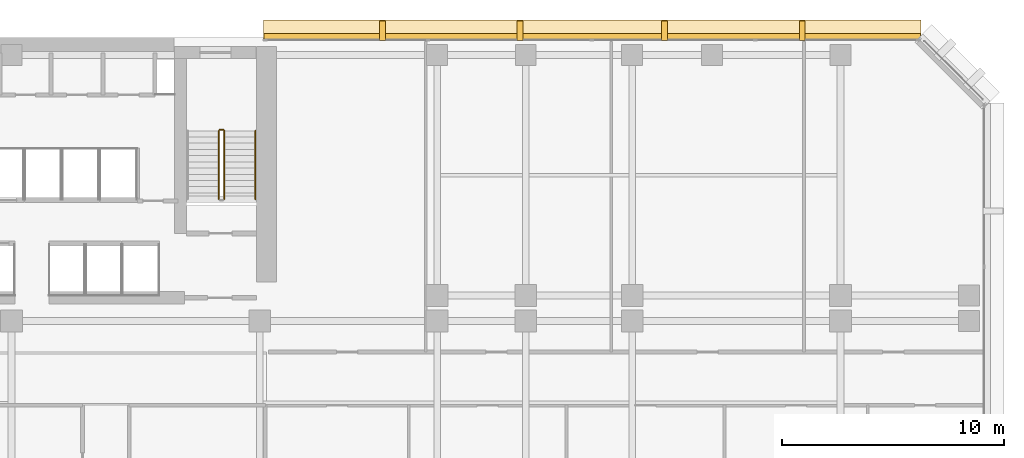
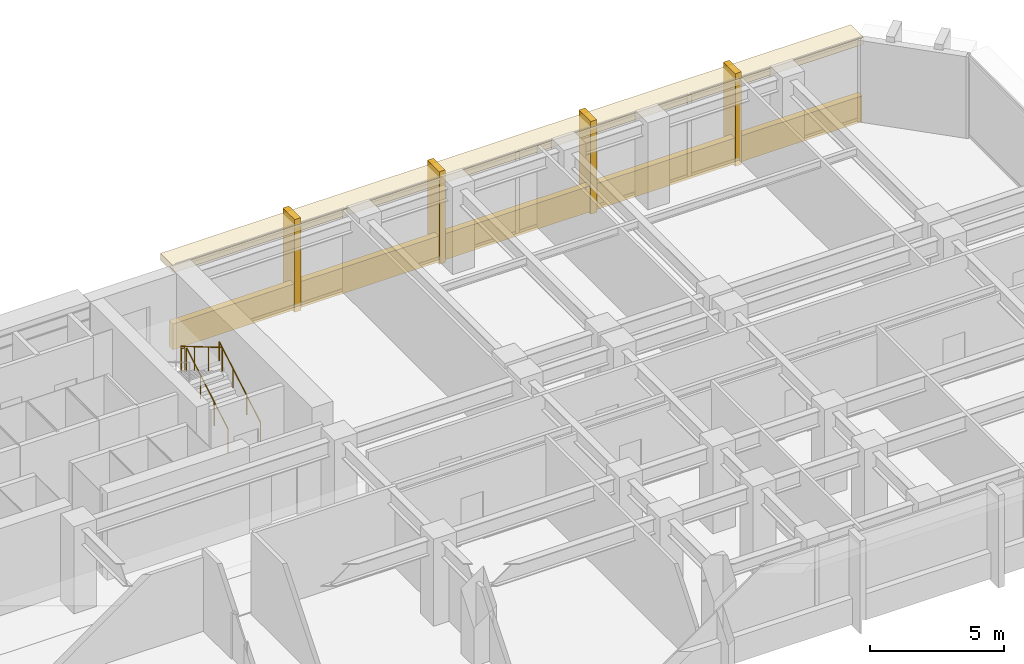
# One storey, part 12 of 13: 6 coverings, 4 railings.
"""IFC4 building model written with IfcOpenShell, lengths in metres."""

import ifcopenshell
import ifcopenshell.guid

model = None  # the IFC model being written
_history = None  # IfcOwnerHistory: only IFC2X3 demands one
_inside = {}  # id of a spatial element -> (the spatial element, [elements in it])
_under = {}  # id of a project, library or spatial element -> (it, [spatial elements below it])
_declared = {}  # id of a project -> (the project, [libraries it declares])
_typed = {}  # id of a type object -> (the type object, [elements of that type])
_made_of = {}  # id of a material, layer set ... -> (it, [elements and type objects made of it])


def new_model(schema):
    """Start an empty IFC model of exactly this schema.

    Asked for "IFC4X3", IfcOpenShell would pick the latest addendum, in which some entities
    have other attributes; the version numbers below select the first issue.
    IFC2X3 requires an IfcOwnerHistory on every rooted entity: one is made here for all.
    """
    global model, _history
    if schema == "IFC4X3":
        model = ifcopenshell.file(schema_version=(4, 3, 0, 0))
    else:
        model = ifcopenshell.file(schema=schema)
    _inside.clear()
    _under.clear()
    _declared.clear()
    _typed.clear()
    _made_of.clear()
    _history = None
    if model.schema == "IFC2X3":
        org = make("IfcOrganization", Name="unknown")
        user = make(
            "IfcPersonAndOrganization",
            ThePerson=make("IfcPerson", FamilyName="unknown"),
            TheOrganization=org,
        )
        app = make(
            "IfcApplication",
            ApplicationDeveloper=org,
            Version="unknown",
            ApplicationFullName="unknown",
            ApplicationIdentifier="unknown",
        )
        _history = make(
            "IfcOwnerHistory",
            OwningUser=user,
            OwningApplication=app,
            ChangeAction="ADDED",
            CreationDate=0,
        )
    return model


def make(cls, **values):
    """One entity of the class cls with the attributes given. An attribute that is None is left unset."""
    return model.create_entity(
        cls, **{name: value for name, value in values.items() if value is not None}
    )


def rooted(cls, **values):
    """An entity with a GlobalId (a new one), such as an element, a storey or a relation."""
    return make(cls, GlobalId=ifcopenshell.guid.new(), OwnerHistory=_history, **values)


def si_unit(unit_type, name, prefix=None):
    """IfcSIUnit, for example si_unit("LENGTHUNIT", "METRE", prefix="MILLI")."""
    return make("IfcSIUnit", UnitType=unit_type, Prefix=prefix, Name=name)


def assignment(units):
    """IfcUnitAssignment: the units of a project."""
    return None if units is None else make("IfcUnitAssignment", Units=units)


def point(xyz):
    """IfcCartesianPoint."""
    return None if xyz is None else make("IfcCartesianPoint", Coordinates=xyz)


def direction(xyz):
    """IfcDirection."""
    return None if xyz is None else make("IfcDirection", DirectionRatios=xyz)


def frame(location, z_axis=None, x_axis=None):
    """IfcAxis2Placement3D, a coordinate frame: its origin and axes. An axis left out is left unset."""
    return make(
        "IfcAxis2Placement3D",
        Location=point(location),
        Axis=direction(z_axis),
        RefDirection=direction(x_axis),
    )


def frame_2d(location, x_axis=None):
    """IfcAxis2Placement2D, a coordinate frame in the plane: its origin and x axis."""
    return make(
        "IfcAxis2Placement2D", Location=point(location), RefDirection=direction(x_axis)
    )


def origin():
    """The frame at (0, 0, 0) with its axes left unset."""
    return frame((0.0, 0.0, 0.0))


def origin_2d():
    """The frame at (0, 0) in the plane with its x axis left unset."""
    return frame_2d((0.0, 0.0))


def place(relative_to, where):
    """IfcLocalPlacement: puts the frame where relative to a parent placement (None: the world)."""
    return make(
        "IfcLocalPlacement", PlacementRelTo=relative_to, RelativePlacement=where
    )


def context(
    kind, dimensions, precision=None, world=None, true_north=None, identifier=None
):
    """IfcGeometricRepresentationContext, for example the 3D "Model" context."""
    return make(
        "IfcGeometricRepresentationContext",
        ContextIdentifier=identifier,
        ContextType=kind,
        CoordinateSpaceDimension=dimensions,
        Precision=precision,
        WorldCoordinateSystem=world,
        TrueNorth=true_north,
    )


def subcontext(parent, identifier, kind, view, scale=None):
    """IfcGeometricRepresentationSubContext, for example "Body" below "Model"."""
    return make(
        "IfcGeometricRepresentationSubContext",
        ContextIdentifier=identifier,
        ContextType=kind,
        ParentContext=parent,
        TargetScale=scale,
        TargetView=view,
    )


def project(units=None, contexts=None):
    """IfcProject with its units and contexts."""
    return rooted(
        "IfcProject",
        Name="project",
        RepresentationContexts=contexts,
        UnitsInContext=assignment(units),
    )


def spatial(cls, under=None, at=None, **own):
    """A site, building, storey or space (cls), placed at a placement, below another one or the project."""
    s = rooted(cls, ObjectPlacement=at, **own)
    if under is not None:
        _under.setdefault(under.id(), (under, []))[1].append(s)
    return s


def profile(cls, at=None, kind="AREA", **sizes):
    """A parametric profile (cls). Its sizes go by their IFC names, for example OverallWidth=200.0."""
    return make(cls, ProfileType=kind, Position=at, **sizes)


def rectangle(**sizes):
    """IfcRectangleProfileDef."""
    return profile("IfcRectangleProfileDef", **sizes)


def circle(**sizes):
    """IfcCircleProfileDef."""
    return profile("IfcCircleProfileDef", **sizes)


def extrude(swept, where, along, depth):
    """IfcExtrudedAreaSolid: the profile swept, set in the frame where, extruded along a direction by depth."""
    return make(
        "IfcExtrudedAreaSolid",
        SweptArea=swept,
        Position=where,
        ExtrudedDirection=direction(along),
        Depth=depth,
    )


def shape(context_of_items, identifier, shape_type, items):
    """IfcShapeRepresentation: the items that make up one representation, for example the "Body"."""
    return make(
        "IfcShapeRepresentation",
        ContextOfItems=context_of_items,
        RepresentationIdentifier=identifier,
        RepresentationType=shape_type,
        Items=items,
    )


def material(Name=None, Category=None):
    """IfcMaterial."""
    return make("IfcMaterial", Name=Name, Category=Category)


def layer(
    of_material, thickness, ventilated=None, Name=None, Category=None, Priority=None
):
    """IfcMaterialLayer: one layer of a wall or slab, of a material (None: an air gap)."""
    return make(
        "IfcMaterialLayer",
        Material=of_material,
        LayerThickness=thickness,
        IsVentilated=ventilated,
        Name=Name,
        Category=Category,
        Priority=Priority,
    )


def layer_set(layers, Name=None):
    """IfcMaterialLayerSet."""
    return make("IfcMaterialLayerSet", MaterialLayers=layers, LayerSetName=Name)


def made_of(thing, what):
    """Note that an element or type object is made of a material, layer set ...; save() writes the relation."""
    if what is not None:
        _made_of.setdefault(what.id(), (what, []))[1].append(thing)
    return thing


def type_object(cls, material=None, **own):
    """A type object (cls), such as IfcWallType, which elements share."""
    return made_of(rooted(cls, **own), material)


def element(
    cls,
    number,
    at=None,
    inside=None,
    cuts=None,
    type_object=None,
    material=None,
    context=None,
    identifier="Body",
    shape_type=None,
    held_by="IfcProductDefinitionShape",
    body=None,
    shapes=None,
    **own,
):
    """One element of the class cls, such as IfcWall. Its Tag is "e" and its number.

    at: its placement. inside: the storey or other place that contains it. cuts: it is an
    opening in that element (IfcRelVoidsElement). A single representation is given by context,
    identifier, shape_type and body (its items); several are given by shapes. held_by: the class
    of the entity that holds the representations. save() writes the other relations.
    """
    e = rooted(cls, Tag="e%d" % number, ObjectPlacement=at, **own)
    if body is not None:
        shapes = [shape(context, identifier, shape_type, body)]
    if shapes is not None:
        e.Representation = make(held_by, Representations=shapes)
    if inside is not None:
        _inside.setdefault(inside.id(), (inside, []))[1].append(e)
    if cuts is not None:
        rooted(
            "IfcRelVoidsElement", RelatingBuildingElement=cuts, RelatedOpeningElement=e
        )
    if type_object is not None:
        _typed.setdefault(type_object.id(), (type_object, []))[1].append(e)
    return made_of(e, material)


def aggregate(whole, parts):
    """IfcRelAggregates: a whole, such as a stair, and the parts it consists of."""
    return rooted("IfcRelAggregates", RelatingObject=whole, RelatedObjects=parts)


def save(model, path):
    """Write the relations noted so far, then the file.

    IfcRelAggregates (storeys below a building ...), IfcRelContainedInSpatialStructure (elements
    in a storey), IfcRelDefinesByType, IfcRelAssociatesMaterial and IfcRelDeclares: one each for
    every whole, place, type object, material and project.
    """
    for whole, parts in _under.values():
        aggregate(whole, parts)
    for where, things in _inside.values():
        rooted(
            "IfcRelContainedInSpatialStructure",
            RelatedElements=things,
            RelatingStructure=where,
        )
    for kind, things in _typed.values():
        rooted("IfcRelDefinesByType", RelatedObjects=things, RelatingType=kind)
    for what, things in _made_of.values():
        rooted("IfcRelAssociatesMaterial", RelatedObjects=things, RelatingMaterial=what)
    for by, libraries in _declared.values():
        rooted("IfcRelDeclares", RelatingContext=by, RelatedDefinitions=libraries)
    model.write(path)


model = new_model("IFC4")

# Units and contexts
model_context = context("Model", 3, precision=1e-05, world=origin(), true_north=direction((0.0, 1.0)))
body_context = subcontext(model_context, "Body", "Model", "MODEL_VIEW")
ifc_project = project(units=[si_unit("LENGTHUNIT", "METRE"), si_unit("AREAUNIT", "SQUARE_METRE"), si_unit("VOLUMEUNIT", "CUBIC_METRE"), si_unit("PLANEANGLEUNIT", "RADIAN"), si_unit("MASSUNIT", "GRAM", prefix="KILO")], contexts=[model_context])

# Site, building, storey
site_placement = place(None, origin())
site = spatial("IfcSite", under=ifc_project, at=site_placement, CompositionType="ELEMENT")
building_placement = place(site_placement, origin())
building = spatial("IfcBuilding", under=site, at=building_placement, Name="Kefirva Bronze Tower", CompositionType="ELEMENT")
storey_placement = place(building_placement, frame((0.0, 0.0, 58.080078125)))
storey = spatial("IfcBuildingStorey", under=building, at=storey_placement, Name="L13", CompositionType="ELEMENT", Elevation=58.080078125)

# Covering
ifc_material_1 = material(Name="Bronze anodised aluminium", Category="aluminium")
ifc_layer_1 = layer(ifc_material_1, 0.02001953125, Name="Bronze anodised aluminium")
ifc_layer_set_1 = layer_set([ifc_layer_1], Name="Bronze anodised aluminium")
covering_type_1 = type_object("IfcCoveringType", Name="Anodised Bronze Spandrel Cladding 20mm", PredefinedType="CLADDING", material=ifc_layer_set_1)
covering_1_placement = place(storey_placement, frame((38.202392578125, 46.0400390625, -0.16015625), z_axis=(0.0, 0.0, 1.0), x_axis=(-1.0, 0.0, 0.0)))
element("IfcCovering", 1, at=covering_1_placement, inside=storey, type_object=covering_type_1, Name="L13 Streamline Horizontal Spandrel Band 8", PredefinedType="CLADDING", context=body_context, shape_type="SweptSolid", body=[
    extrude(rectangle(XDim=29.635009765625, YDim=0.280029296875, at=origin_2d()), origin(), (0.0, 0.0, 1.0), 1.179931640625),
])

# Railings
ifc_material_2 = material(Name="Stainless steel 316", Category="steel")
railing_type_1 = type_object("IfcRailingType", Name="Interior Stair Guardrail 1100mm", PredefinedType="GUARDRAIL", material=ifc_material_2)
railing_1_placement = place(storey_placement, frame((21.60009765625, 38.699951171875, 0.1650390625)))
element("IfcRailing", 2, at=railing_1_placement, inside=storey, type_object=railing_type_1, Name="L13 ST-2 stair guard 1", PredefinedType="GUARDRAIL", context=body_context, shape_type="SweptSolid", body=[
    extrude(circle(Radius=0.02392578125, at=origin_2d()), frame((0.0, 0.0, 1.076171875), z_axis=(0.0, 0.861551262678, 0.507670583921), x_axis=(-1.0, 0.0, 0.0)), (0.0, 0.0, 1.0), 3.574951171875),
    extrude(circle(Radius=0.02099609375, at=origin_2d()), origin(), (0.0, 0.0, 1.0), 1.052001953125),
    extrude(circle(Radius=0.02099609375, at=origin_2d()), frame((0.0, 1.026611328125, 0.60498046875)), (0.0, 0.0, 1.0), 1.052001953125),
    extrude(circle(Radius=0.02099609375, at=origin_2d()), frame((0.0, 2.053466796875, 1.2099609375)), (0.0, 0.0, 1.0), 1.052001953125),
    extrude(circle(Radius=0.02099609375, at=origin_2d()), frame((0.0, 3.080078125, 1.81494140625)), (0.0, 0.0, 1.0), 1.052001953125),
])
railing_2_placement = place(storey_placement, frame((21.550048828125, 41.830078125, 1.97998046875)))
element("IfcRailing", 3, at=railing_2_placement, inside=storey, type_object=railing_type_1, Name="L13 ST-2 stair guard 2", PredefinedType="GUARDRAIL", context=body_context, shape_type="SweptSolid", body=[
    extrude(circle(Radius=0.02392578125, at=origin_2d()), frame((0.0, 0.0, 1.076171875), z_axis=(-1.0, 0.0, 0.0), x_axis=(0.0, -1.0, 0.0)), (0.0, 0.0, 1.0), 0.150146484375),
    extrude(circle(Radius=0.02099609375, at=origin_2d()), origin(), (0.0, 0.0, 1.0), 1.052001953125),
    extrude(circle(Radius=0.02099609375, at=origin_2d()), frame((-0.150146484375, 0.0, 0.0)), (0.0, 0.0, 1.0), 1.052001953125),
])
railing_3_placement = place(storey_placement, frame((21.35009765625, 41.780029296875, 2.14501953125)))
element("IfcRailing", 4, at=railing_3_placement, inside=storey, type_object=railing_type_1, Name="L13 ST-2 stair guard 3", PredefinedType="GUARDRAIL", context=body_context, shape_type="SweptSolid", body=[
    extrude(circle(Radius=0.02392578125, at=origin_2d()), frame((0.0, 0.0, 1.076171875), z_axis=(0.0, -0.861551262678, 0.507670583921), x_axis=(1.0, 0.0, 0.0)), (0.0, 0.0, 1.0), 3.574951171875),
    extrude(circle(Radius=0.02099609375, at=origin_2d()), origin(), (0.0, 0.0, 1.0), 1.052001953125),
    extrude(circle(Radius=0.02099609375, at=origin_2d()), frame((0.0, -1.026611328125, 0.60498046875)), (0.0, 0.0, 1.0), 1.052001953125),
    extrude(circle(Radius=0.02099609375, at=origin_2d()), frame((0.0, -2.053466796875, 1.2099609375)), (0.0, 0.0, 1.0), 1.052001953125),
    extrude(circle(Radius=0.02099609375, at=origin_2d()), frame((0.0, -3.080078125, 1.81494140625)), (0.0, 0.0, 1.0), 1.052001953125),
])
railing_type_2 = type_object("IfcRailingType", Name="Stair Pitch Handrail 900mm", PredefinedType="HANDRAIL", material=ifc_material_2)
railing_4_placement = place(storey_placement, frame((23.0, 38.699951171875, 0.1650390625)))
element("IfcRailing", 5, at=railing_4_placement, inside=storey, type_object=railing_type_2, Name="L13 ST-2 stair handrail 1", PredefinedType="HANDRAIL", context=body_context, shape_type="SweptSolid", body=[
    extrude(circle(Radius=0.02392578125, at=origin_2d()), frame((0.0, 0.0, 0.8759765625), z_axis=(0.0, 0.861551262678, 0.507670583921), x_axis=(-1.0, 0.0, 0.0)), (0.0, 0.0, 1.0), 3.574951171875),
    extrude(circle(Radius=0.02099609375, at=origin_2d()), origin(), (0.0, 0.0, 1.0), 0.851806640625),
    extrude(circle(Radius=0.02099609375, at=origin_2d()), frame((0.0, 1.026611328125, 0.60498046875)), (0.0, 0.0, 1.0), 0.851806640625),
    extrude(circle(Radius=0.02099609375, at=origin_2d()), frame((0.0, 2.053466796875, 1.2099609375)), (0.0, 0.0, 1.0), 0.851806640625),
    extrude(circle(Radius=0.02099609375, at=origin_2d()), frame((0.0, 3.080078125, 1.81494140625)), (0.0, 0.0, 1.0), 0.851806640625),
])

# Coverings
ifc_layer_2 = layer(ifc_material_1, 0.179931640625, Name="Bronze anodised aluminium")
ifc_layer_set_2 = layer_set([ifc_layer_2], Name="Bronze anodised aluminium")
covering_type_2 = type_object("IfcCoveringType", Name="Streamline Bronze Sunshade Eyebrow Cladding 180mm", PredefinedType="CLADDING", material=ifc_layer_set_2)
covering_2_placement = place(storey_placement, frame((38.202392578125, 46.31005859375, 3.3896484375), z_axis=(0.0, 0.0, 1.0), x_axis=(-1.0, 0.0, 0.0)))
element("IfcCovering", 6, at=covering_2_placement, inside=storey, type_object=covering_type_2, Name="L13 Streamline Bronze Sunshade Eyebrow 8", PredefinedType="CLADDING", context=body_context, shape_type="SweptSolid", body=[
    extrude(rectangle(XDim=29.675048828125, YDim=0.93994140625, at=origin_2d()), origin(), (0.0, 0.0, 1.0), 0.320068359375),
])
ifc_layer_3 = layer(ifc_material_1, 0.260009765625, Name="Bronze anodised aluminium")
ifc_layer_set_3 = layer_set([ifc_layer_3], Name="Bronze anodised aluminium")
covering_type_3 = type_object("IfcCoveringType", Name="Unbroken Bronze Buttress Fin Cladding 260mm", PredefinedType="CLADDING", material=ifc_layer_set_3)
for number, where, z_axis, x_axis, name in (
    (7, (47.6728515625, 46.300048828125, -0.25), (0.0, 0.0, 1.0), (-1.0, 0.0, 0.0), "L13 Unbroken Vertical Bronze Rib Fin 19"),
    (8, (41.4580078125, 46.300048828125, -0.25), (0.0, 0.0, 1.0), (-1.0, 0.0, 0.0), "L13 Unbroken Vertical Bronze Rib Fin 20"),
    (9, (34.947021484375, 46.300048828125, -0.25), (0.0, 0.0, 1.0), (-1.0, 0.0, 0.0), "L13 Unbroken Vertical Bronze Rib Fin 21"),
    (10, (28.732177734375, 46.300048828125, -0.25), (0.0, 0.0, 1.0), (-1.0, 0.0, 0.0), "L13 Unbroken Vertical Bronze Rib Fin 22"),
):
    element("IfcCovering", number, at=place(storey_placement, frame(where, z_axis=z_axis, x_axis=x_axis)), inside=storey, type_object=covering_type_3, Name=name, PredefinedType="CLADDING", context=body_context, shape_type="SweptSolid", body=[
        extrude(rectangle(XDim=0.260009765625, YDim=0.8798828125, at=origin_2d()), origin(), (0.0, 0.0, 1.0), 4.2099609375),
    ])

save(model, "model.ifc")
